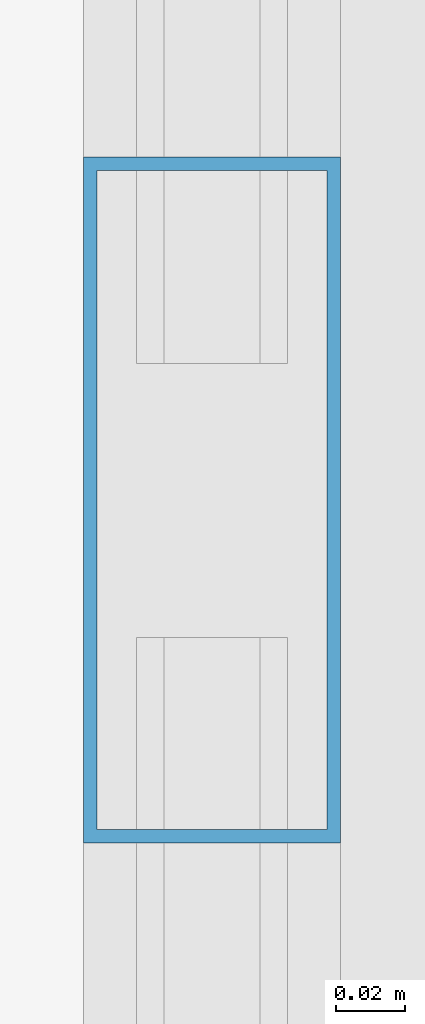
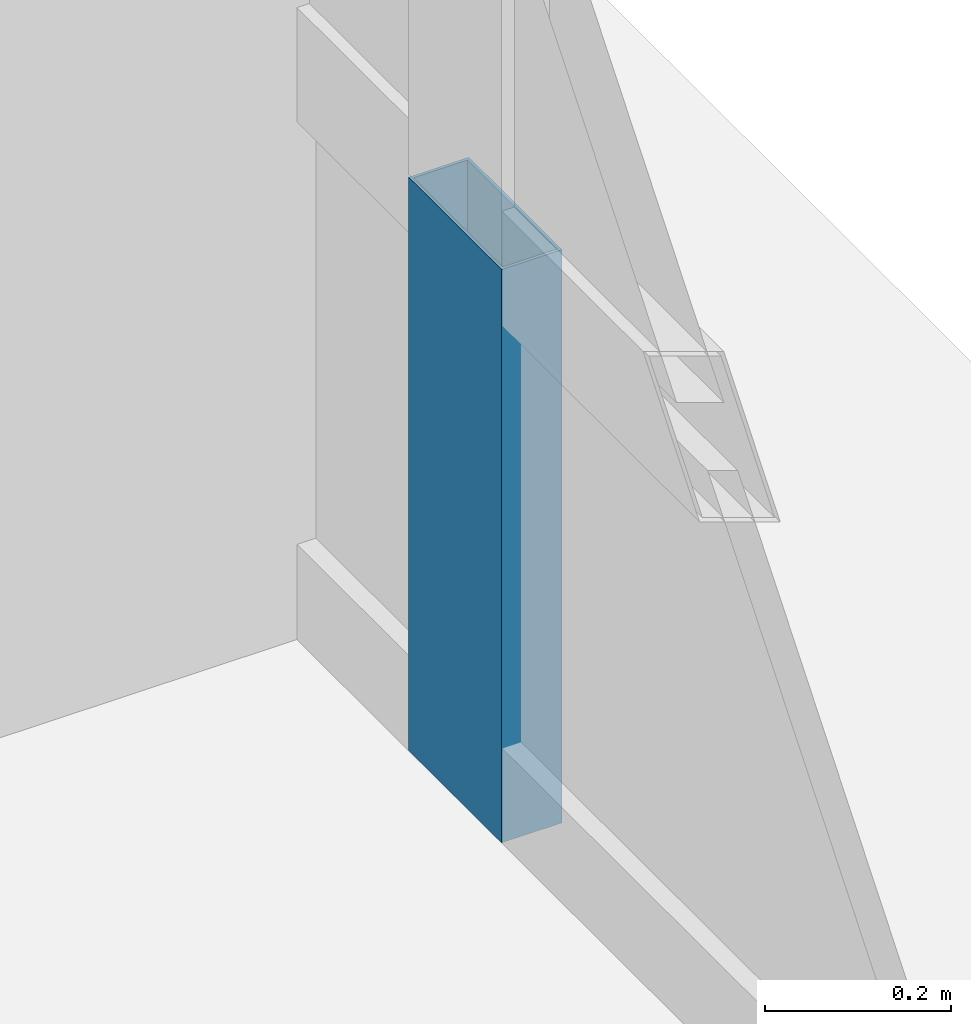
# One storey, part 25 of 35: 1 member, 1 element without a shape of its own.
"""IFC4 building model written with IfcOpenShell, lengths in metres."""

from ifc_helpers import new_model, si_unit, direction, frame, origin, origin_2d, place, context, subcontext, project, spatial, hollow_rectangle, extrude, source, transform, mapped, material, layer, layer_set, material_profile, profile_set, type_object, element, aggregate, save


model = new_model("IFC4")

# Units and contexts
model_context = context("Model", 3, precision=1e-05, world=origin(), true_north=direction((0.0, 1.0)))
body_context = subcontext(model_context, "Body", "Model", "MODEL_VIEW")
ifc_project = project(units=[si_unit("LENGTHUNIT", "METRE"), si_unit("AREAUNIT", "SQUARE_METRE"), si_unit("VOLUMEUNIT", "CUBIC_METRE"), si_unit("PLANEANGLEUNIT", "RADIAN"), si_unit("MASSUNIT", "GRAM", prefix="KILO"), si_unit("THERMODYNAMICTEMPERATUREUNIT", "KELVIN"), si_unit("POWERUNIT", "WATT")], contexts=[model_context])

# Site, building, storey
site_placement = place(None, origin())
site = spatial("IfcSite", under=ifc_project, at=site_placement, CompositionType="ELEMENT")
building_placement = place(site_placement, origin())
building = spatial("IfcBuilding", under=site, at=building_placement, Name="Yuzanri Waterfront Tower", CompositionType="ELEMENT")
storey_placement = place(building_placement, frame((0.0, 0.0, 299.60009765625)))
storey = spatial("IfcBuildingStorey", under=building, at=storey_placement, Name="L80", CompositionType="ELEMENT", Elevation=299.60009765625)

# Curtain wall, member
ifc_material_1 = material(Name="Anodized Architectural Bronze", Category="metal")
ifc_layer = layer(ifc_material_1, 0.159912109375)
ifc_layer_set = layer_set([ifc_layer], Name="Anodized Architectural Bronze")
curtain_wall_type = type_object("IfcCurtainWallType", Name="Anodized Bronze High-Rise Penthouse High-Wind Unitized Curtain Wall 6900", PredefinedType="NOTDEFINED", material=ifc_layer_set)
curtain_wall_placement = place(storey_placement, origin())
curtain_wall = element("IfcCurtainWall", 1, at=curtain_wall_placement, inside=storey, type_object=curtain_wall_type, Name="L80 Curtain Wall CW-L80-ER", PredefinedType="NOTDEFINED")
ifc_material_2 = material(Name="Anodized Architectural Bronze", Category="metal")
ifc_material_profile = material_profile(ifc_material_2, hollow_rectangle(XDim=0.074951171875, YDim=0.199951171875, WallThickness=0.00390625, at=origin_2d()), Name="CWM 75x200")
ifc_profile_set = profile_set([ifc_material_profile], Name="Anodized Architectural Bronze")
member_type = type_object("IfcMemberType", Name="Anodized Bronze Primary Curtain-Wall Mullion 75x200", PredefinedType="MULLION", material=ifc_profile_set)
shared_shape = source(origin(), body_context, "Body", "SweptSolid", [
    extrude(hollow_rectangle(XDim=0.074951171875, YDim=0.199951171875, WallThickness=0.00390625, at=origin_2d()), origin(), (0.0, 0.0, 1.0), 0.751953125),
])
member_placement = place(storey_placement, frame((55.949951171875, 31.85009765625, 0.0), z_axis=(0.0, 0.0, 1.0), x_axis=(1.0, 0.0, 0.0)))
member = element("IfcMember", 2, at=member_placement, type_object=member_type, Name="CW-L80-ER Lower Mullion 01", PredefinedType="MULLION", context=body_context, shape_type="MappedRepresentation", body=[
    mapped(shared_shape, transform((0.0, 0.0, 0.0), scale=1.0)),
])
aggregate(curtain_wall, [member])

save(model, "model.ifc")
